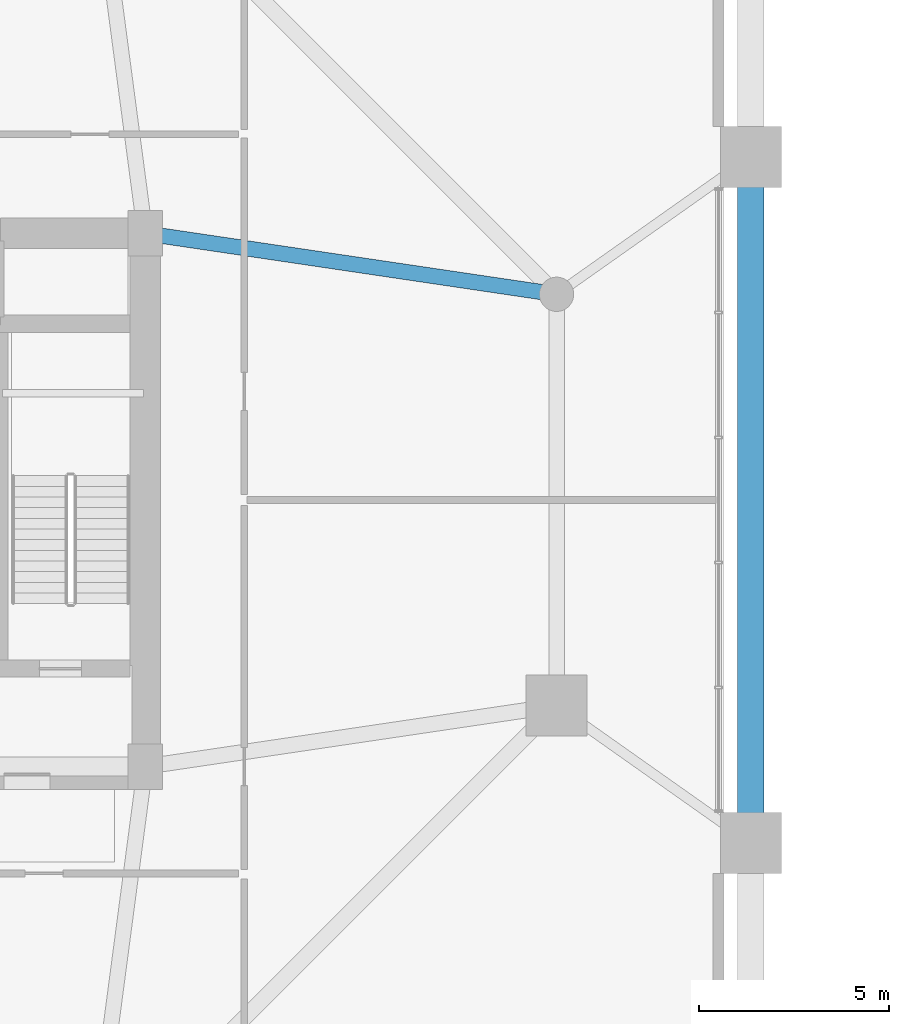
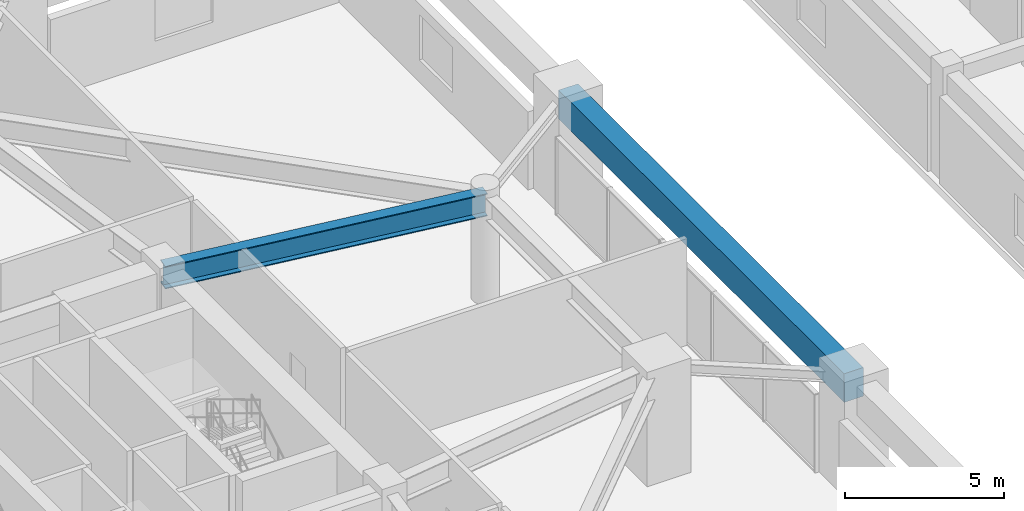
# One storey, part 11 of 22: 2 beams.
"""IFC4 building model written with IfcOpenShell, lengths in metres."""

from ifc_helpers import new_model, si_unit, direction, frame, origin, origin_2d, place, context, subcontext, project, spatial, rectangle, i_section, extrude, material, material_profile, profile_set, type_object, element, save


model = new_model("IFC4")

# Units and contexts
model_context = context("Model", 3, precision=1e-05, world=origin(), true_north=direction((0.0, 1.0)))
body_context = subcontext(model_context, "Body", "Model", "MODEL_VIEW")
ifc_project = project(units=[si_unit("LENGTHUNIT", "METRE"), si_unit("AREAUNIT", "SQUARE_METRE"), si_unit("VOLUMEUNIT", "CUBIC_METRE"), si_unit("PLANEANGLEUNIT", "RADIAN"), si_unit("MASSUNIT", "GRAM", prefix="KILO")], contexts=[model_context])

# Site, building, storey
site_placement = place(None, origin())
site = spatial("IfcSite", under=ifc_project, at=site_placement, CompositionType="ELEMENT")
building_placement = place(site_placement, origin())
building = spatial("IfcBuilding", under=site, at=building_placement, Name="Veraguas Prism Commons", CompositionType="ELEMENT")
storey_placement = place(building_placement, frame((0.0, 0.0, 5.199951171875)))
storey = spatial("IfcBuildingStorey", under=building, at=storey_placement, Name="L01", CompositionType="ELEMENT", Elevation=5.199951171875)

# Beams
ifc_material_1 = material(Name="Steel ASTM A992 Grade 50", Category="steel")
ifc_material_profile_1 = material_profile(ifc_material_1, i_section(OverallWidth=0.403076171875, OverallDepth=0.867919921875, WebThickness=0.02099609375, FlangeThickness=0.03564453125, at=origin_2d()), Name="W840X359")
ifc_profile_set_1 = profile_set([ifc_material_profile_1], Name="Steel ASTM A992 Grade 50")
beam_type_1 = type_object("IfcBeamType", Name="Concourse Primary Girder W840x359", PredefinedType="BEAM", material=ifc_profile_set_1)
beam_1_placement = place(storey_placement, frame((41.60009765625, 29.39990234375, 3.666015625), z_axis=(-0.989202261707, 0.146556765224, 0.0), x_axis=(-0.146556765224, -0.989202261707, 0.0)))
element("IfcBeam", 1, at=beam_1_placement, inside=storey, type_object=beam_type_1, Name="Concourse Radial Girder L01-TMR02", PredefinedType="BEAM", context=body_context, shape_type="SweptSolid", body=[
    extrude(i_section(OverallWidth=0.403076171875, OverallDepth=0.867919921875, WebThickness=0.02099609375, FlangeThickness=0.03564453125, at=origin_2d()), origin(), (0.0, 0.0, 1.0), 10.91796875),
])
ifc_material_2 = material(Name="Concrete C50/60", Category="concrete")
ifc_material_profile_2 = material_profile(ifc_material_2, rectangle(XDim=0.699951171875, YDim=1.10009765625, at=origin_2d()), Name="RC700X1100")
ifc_profile_set_2 = profile_set([ifc_material_profile_2], Name="Concrete C50/60")
beam_type_2 = type_object("IfcBeamType", Name="Podium Primary Girder RC 700x1100", PredefinedType="BEAM", material=ifc_profile_set_2)
beam_2_placement = place(storey_placement, frame((46.699951171875, 15.0, 3.550048828125), z_axis=(0.0, 1.0, 0.0), x_axis=(-1.0, 0.0, 0.0)))
element("IfcBeam", 2, at=beam_2_placement, inside=storey, type_object=beam_type_2, Name="Podium Perimeter Girder L01-PDR06", PredefinedType="BEAM", context=body_context, shape_type="SweptSolid", body=[
    extrude(rectangle(XDim=0.699951171875, YDim=1.10009765625, at=origin_2d()), origin(), (0.0, 0.0, 1.0), 18.0),
])

save(model, "model.ifc")
